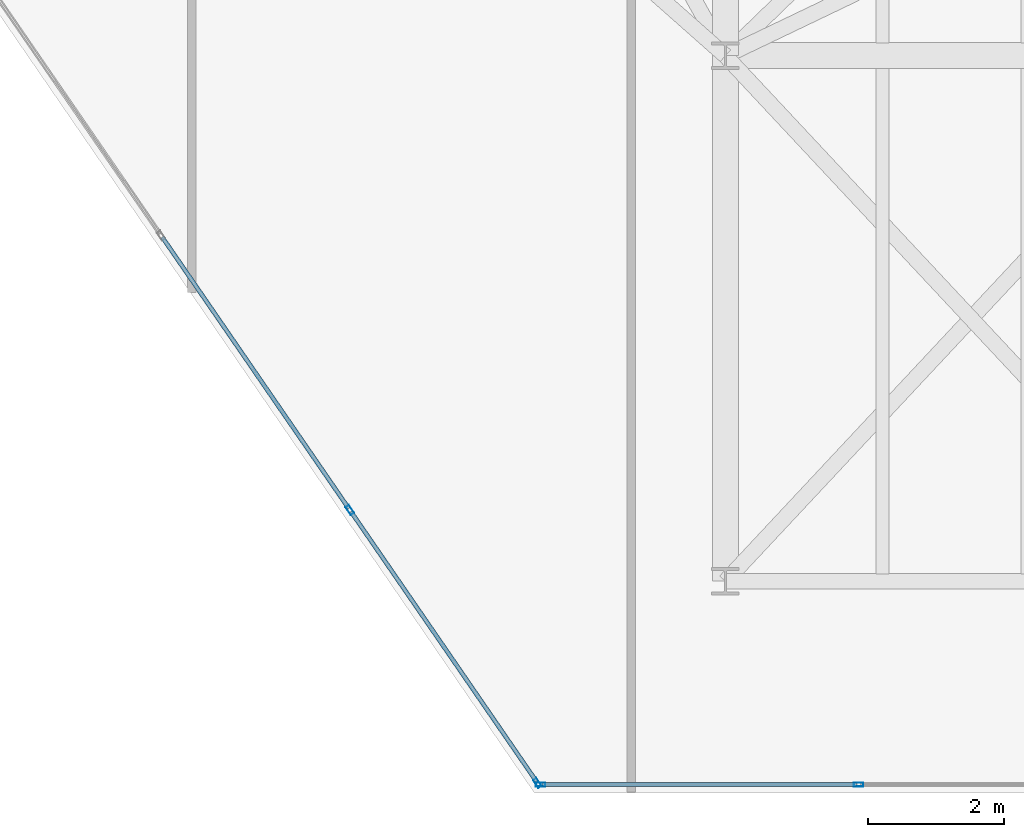
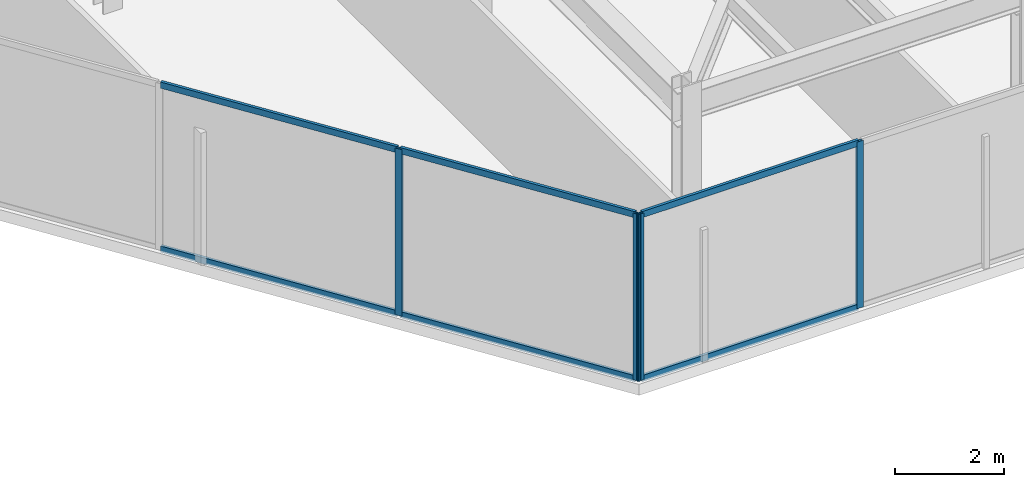
# One storey, part 10 of 21: 10 members, 2 elements without a shape of their own.
"""IFC4 building model written with IfcOpenShell, lengths in metres."""

from ifc_helpers import new_model, si_unit, direction, frame, origin, origin_2d, place, context, subcontext, project, spatial, hollow_rectangle, extrude, material, layer, layer_set, material_profile, profile_set, type_object, element, aggregate, save


model = new_model("IFC4")

# Units and contexts
model_context = context("Model", 3, precision=1e-05, world=origin(), true_north=direction((0.0, 1.0)))
body_context = subcontext(model_context, "Body", "Model", "MODEL_VIEW")
ifc_project = project(units=[si_unit("LENGTHUNIT", "METRE"), si_unit("AREAUNIT", "SQUARE_METRE"), si_unit("VOLUMEUNIT", "CUBIC_METRE"), si_unit("PLANEANGLEUNIT", "RADIAN"), si_unit("MASSUNIT", "GRAM", prefix="KILO")], contexts=[model_context])

# Site, building, storey
site_placement = place(None, origin())
site = spatial("IfcSite", under=ifc_project, at=site_placement, CompositionType="ELEMENT")
building_placement = place(site_placement, origin())
building = spatial("IfcBuilding", under=site, at=building_placement, Name="Kravanh Interchange Tower", CompositionType="ELEMENT")
storey_placement = place(building_placement, frame((0.0, 0.0, 216.5)))
storey = spatial("IfcBuildingStorey", under=building, at=storey_placement, Name="L52", CompositionType="ELEMENT", Elevation=216.5)

# Curtain wall, members
ifc_material_1 = material(Name="Anodised Bronze Aluminium", Category="aluminium")
ifc_layer = layer(ifc_material_1, 0.179931640625)
ifc_layer_set = layer_set([ifc_layer], Name="Unitised Curtain Wall System CW-Z3 Upper Office")
curtain_wall_type = type_object("IfcCurtainWallType", Name="Unitised Curtain Wall System CW-Z3 Upper Office", PredefinedType="NOTDEFINED", material=ifc_layer_set)
curtain_wall_1_placement = place(storey_placement, origin())
curtain_wall_1 = element("IfcCurtainWall", 1, at=curtain_wall_1_placement, inside=storey, type_object=curtain_wall_type, Name="L52 Unitised Curtain Wall CW-L52-02", PredefinedType="NOTDEFINED")
ifc_material_2 = material(Name="Anodised Bronze Aluminium", Category="aluminium")
ifc_material_profile_1 = material_profile(ifc_material_2, hollow_rectangle(XDim=0.06005859375, YDim=0.139892578125, WallThickness=0.00390625, at=origin_2d()), Name="ALU60X140X4")
ifc_profile_set_1 = profile_set([ifc_material_profile_1], Name="Anodised Bronze Aluminium")
member_type_1 = type_object("IfcMemberType", Name="Curtain Wall Mullion ALU60X140X4 Bronze", PredefinedType="MULLION", material=ifc_profile_set_1)
member_1_placement = place(storey_placement, frame((57.9521484375, 11.52001953125, 0.0), z_axis=(0.0, 0.0, 1.0), x_axis=(0.0, -1.0, 0.0)))
member_1 = element("IfcMember", 2, at=member_1_placement, type_object=member_type_1, Name="CW-Z3 mullion 2", PredefinedType="MULLION", context=body_context, shape_type="SweptSolid", body=[
    extrude(hollow_rectangle(XDim=0.06005859375, YDim=0.139892578125, WallThickness=0.00390625, at=origin_2d()), origin(), (0.0, 0.0, 1.0), 3.7451171875),
])
member_2_placement = place(storey_placement, frame((53.293212890625, 11.52001953125, 0.0), z_axis=(0.0, 0.0, 1.0), x_axis=(0.0, -1.0, 0.0)))
member_2 = element("IfcMember", 3, at=member_2_placement, type_object=member_type_1, Name="CW-Z3 mullion 3", PredefinedType="MULLION", context=body_context, shape_type="SweptSolid", body=[
    extrude(hollow_rectangle(XDim=0.06005859375, YDim=0.139892578125, WallThickness=0.00390625, at=origin_2d()), origin(), (0.0, 0.0, 1.0), 3.7451171875),
])

curtain_wall_2_placement = place(storey_placement, origin())
curtain_wall_2 = element("IfcCurtainWall", 4, at=curtain_wall_2_placement, inside=storey, type_object=curtain_wall_type, Name="L52 Unitised Curtain Wall CW-L52-03", PredefinedType="NOTDEFINED")
member_3_placement = place(storey_placement, frame((53.24609375, 11.544677734375, 0.0), z_axis=(0.0, 0.0, 1.0), x_axis=(-0.824042223035, -0.566528388217, 0.0)))
member_3 = element("IfcMember", 5, at=member_3_placement, type_object=member_type_1, Name="CW-Z3 mullion 1", PredefinedType="MULLION", context=body_context, shape_type="SweptSolid", body=[
    extrude(hollow_rectangle(XDim=0.06005859375, YDim=0.139892578125, WallThickness=0.00390625, at=origin_2d()), origin(), (0.0, 0.0, 1.0), 3.7451171875),
])
member_4_placement = place(storey_placement, frame((50.497314453125, 15.54296875, 0.0), z_axis=(0.0, 0.0, 1.0), x_axis=(-0.824042223035, -0.566528388217, 0.0)))
member_4 = element("IfcMember", 6, at=member_4_placement, type_object=member_type_1, Name="CW-Z3 mullion 2", PredefinedType="MULLION", context=body_context, shape_type="SweptSolid", body=[
    extrude(hollow_rectangle(XDim=0.06005859375, YDim=0.139892578125, WallThickness=0.00390625, at=origin_2d()), origin(), (0.0, 0.0, 1.0), 3.7451171875),
])

# Member
ifc_material_3 = material(Name="Anodised Bronze Aluminium", Category="aluminium")
ifc_material_profile_2 = material_profile(ifc_material_3, hollow_rectangle(XDim=0.06005859375, YDim=0.139892578125, WallThickness=0.00390625, at=origin_2d()), Name="ALU60X140X4")
ifc_profile_set_2 = profile_set([ifc_material_profile_2], Name="Anodised Bronze Aluminium")
member_type_2 = type_object("IfcMemberType", Name="Curtain Wall Transom ALU60X140X4 Bronze", PredefinedType="USERDEFINED", material=ifc_profile_set_2)
member_5_placement = place(storey_placement, frame((57.922119140625, 11.52001953125, 0.030029296875), z_axis=(-1.0, 0.0, 0.0), x_axis=(0.0, -1.0, 0.0)))
member_5 = element("IfcMember", 7, at=member_5_placement, type_object=member_type_2, Name="CW-Z3 transom 2.1", ObjectType="TRANSOM", PredefinedType="USERDEFINED", context=body_context, shape_type="SweptSolid", body=[
    extrude(hollow_rectangle(XDim=0.06005859375, YDim=0.139892578125, WallThickness=0.00390625, at=origin_2d()), origin(), (0.0, 0.0, 1.0), 4.59912109375),
])

member_6_placement = place(storey_placement, frame((57.922119140625, 11.52001953125, 3.715087890625), z_axis=(-1.0, 0.0, 0.0), x_axis=(0.0, -1.0, 0.0)))
member_6 = element("IfcMember", 8, at=member_6_placement, type_object=member_type_2, Name="CW-Z3 transom 2.2", ObjectType="TRANSOM", PredefinedType="USERDEFINED", context=body_context, shape_type="SweptSolid", body=[
    extrude(hollow_rectangle(XDim=0.06005859375, YDim=0.139892578125, WallThickness=0.00390625, at=origin_2d()), origin(), (0.0, 0.0, 1.0), 4.59912109375),
])

aggregate(curtain_wall_1, [member_1, member_2, member_5, member_6])

member_7_placement = place(storey_placement, frame((53.22900390625, 11.5693359375, 0.030029296875), z_axis=(-0.566483415384, 0.824073140016, 0.0), x_axis=(-0.824073140016, -0.566483415384, 0.0)))
member_7 = element("IfcMember", 9, at=member_7_placement, type_object=member_type_2, Name="CW-Z3 transom 1.1", ObjectType="TRANSOM", PredefinedType="USERDEFINED", context=body_context, shape_type="SweptSolid", body=[
    extrude(hollow_rectangle(XDim=0.06005859375, YDim=0.139892578125, WallThickness=0.00390625, at=origin_2d()), origin(), (0.0, 0.0, 1.0), 4.7919921875),
])

member_8_placement = place(storey_placement, frame((53.22900390625, 11.5693359375, 3.715087890625), z_axis=(-0.566483415384, 0.824073140016, 0.0), x_axis=(-0.824073140016, -0.566483415384, 0.0)))
member_8 = element("IfcMember", 10, at=member_8_placement, type_object=member_type_2, Name="CW-Z3 transom 1.2", ObjectType="TRANSOM", PredefinedType="USERDEFINED", context=body_context, shape_type="SweptSolid", body=[
    extrude(hollow_rectangle(XDim=0.06005859375, YDim=0.139892578125, WallThickness=0.00390625, at=origin_2d()), origin(), (0.0, 0.0, 1.0), 4.7919921875),
])

member_9_placement = place(storey_placement, frame((50.480224609375, 15.567626953125, 0.030029296875), z_axis=(-0.566503037389, 0.824059651135, 0.0), x_axis=(-0.824059651135, -0.566503037389, 0.0)))
member_9 = element("IfcMember", 11, at=member_9_placement, type_object=member_type_2, Name="CW-Z3 transom 2.1", ObjectType="TRANSOM", PredefinedType="USERDEFINED", context=body_context, shape_type="SweptSolid", body=[
    extrude(hollow_rectangle(XDim=0.06005859375, YDim=0.139892578125, WallThickness=0.00390625, at=origin_2d()), origin(), (0.0, 0.0, 1.0), 4.822021484375),
])

member_10_placement = place(storey_placement, frame((50.480224609375, 15.567626953125, 3.715087890625), z_axis=(-0.566503037389, 0.824059651135, 0.0), x_axis=(-0.824059651135, -0.566503037389, 0.0)))
member_10 = element("IfcMember", 12, at=member_10_placement, type_object=member_type_2, Name="CW-Z3 transom 2.2", ObjectType="TRANSOM", PredefinedType="USERDEFINED", context=body_context, shape_type="SweptSolid", body=[
    extrude(hollow_rectangle(XDim=0.06005859375, YDim=0.139892578125, WallThickness=0.00390625, at=origin_2d()), origin(), (0.0, 0.0, 1.0), 4.822021484375),
])

aggregate(curtain_wall_2, [member_3, member_4, member_7, member_8, member_9, member_10])

save(model, "model.ifc")
